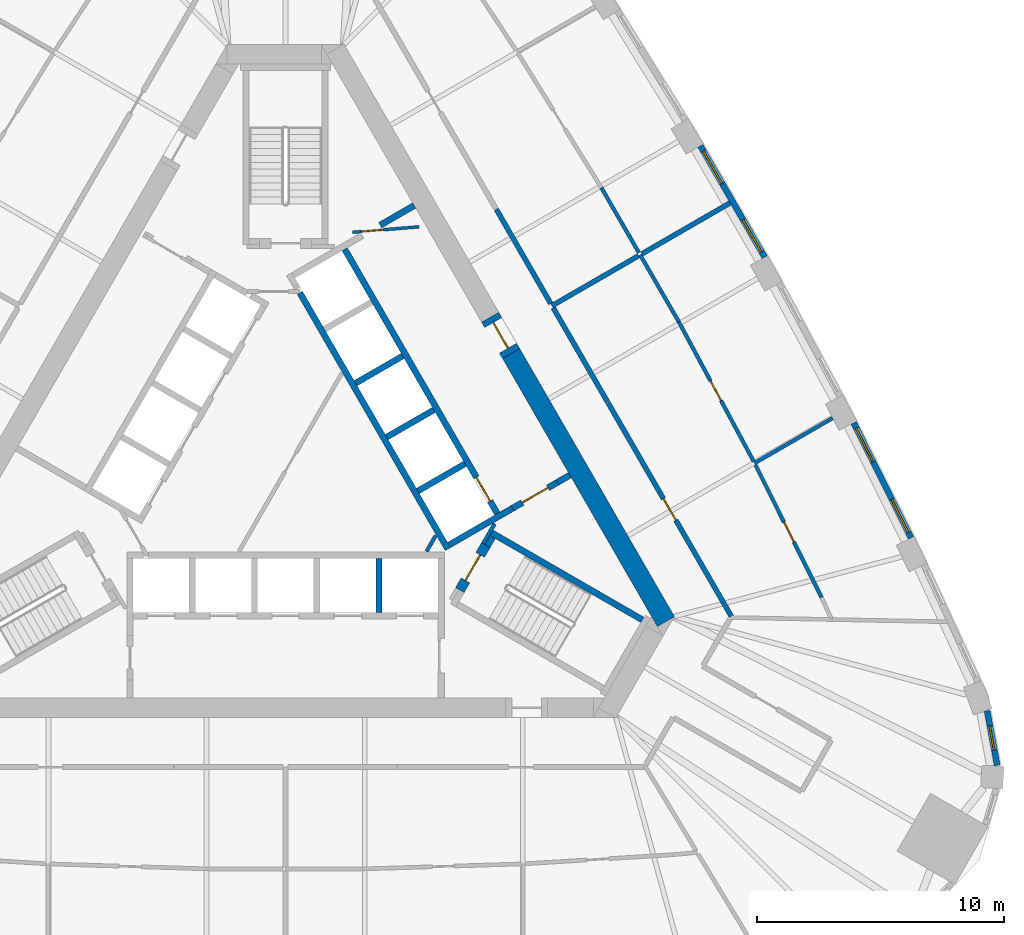
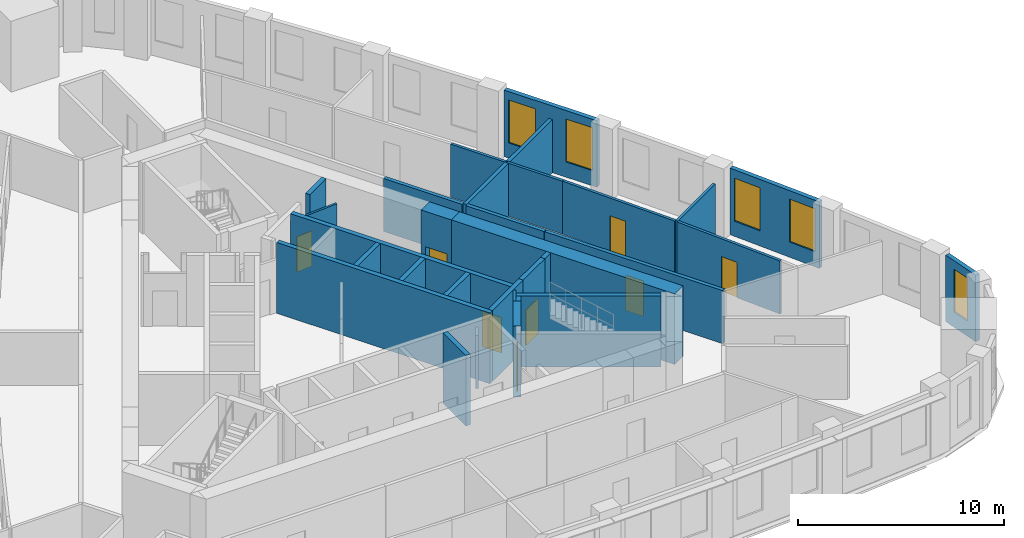
# One storey, part 7 of 10: 31 walls, 8 doors, 5 windows, 13 openings.
"""IFC4 building model written with IfcOpenShell, lengths in metres."""

from ifc_helpers import new_model, si_unit, direction, frame, frame_2d, origin, place, context, subcontext, project, spatial, rectangle, extrude, material, layer, layer_set, type_object, element, fill, save


model = new_model("IFC4")

# Units and contexts
model_context = context("Model", 3, precision=1e-05, world=origin(), true_north=direction((0.0, 1.0)))
body_context = subcontext(model_context, "Body", "Model", "MODEL_VIEW")
ifc_project = project(units=[si_unit("LENGTHUNIT", "METRE"), si_unit("AREAUNIT", "SQUARE_METRE"), si_unit("VOLUMEUNIT", "CUBIC_METRE"), si_unit("PLANEANGLEUNIT", "RADIAN"), si_unit("MASSUNIT", "GRAM", prefix="KILO")], contexts=[model_context])

# Site, building, storey
site_placement = place(None, origin())
site = spatial("IfcSite", under=ifc_project, at=site_placement, CompositionType="ELEMENT")
building_placement = place(site_placement, origin())
building = spatial("IfcBuilding", under=site, at=building_placement, Name="Mestral Congress Tower", CompositionType="ELEMENT")
storey_placement = place(building_placement, frame((0.0, 0.0, 154.199951171875)))
storey = spatial("IfcBuildingStorey", under=building, at=storey_placement, Name="L36", CompositionType="ELEMENT", Elevation=154.199951171875)

# Wall
ifc_material_1 = material(Name="Fire-rated board partition")
ifc_layer_1 = layer(ifc_material_1, 0.14990234375)
ifc_layer_set_1 = layer_set([ifc_layer_1], Name="Fire-rated board partition")
wall_type_1 = type_object("IfcWallType", Name="Core partition 150", PredefinedType="PARTITIONING", material=ifc_layer_set_1)
wall_1_placement = place(storey_placement, frame((5.704833984375, -3.718017578125, 0.0), z_axis=(0.0, 0.0, 1.0), x_axis=(0.499962090823, 0.866047289552, 0.0)))
element("IfcWall", 1, at=wall_1_placement, inside=storey, type_object=wall_type_1, Name="L36 core wall", PredefinedType="PARTITIONING", context=body_context, shape_type="SweptSolid", body=[
    extrude(rectangle(XDim=0.73486328125, YDim=0.14990234375, at=frame_2d((0.367431640625, 0.0))), origin(), (0.0, 0.0, 1.0), 3.150146484375),
])

# Wall, opening, door
ifc_layer_2 = layer(ifc_material_1, 0.1201171875)
ifc_layer_set_2 = layer_set([ifc_layer_2], Name="Fire-rated board partition")
wall_type_2 = type_object("IfcWallType", Name="Core partition 150 door-wall 120", PredefinedType="PARTITIONING", material=ifc_layer_set_2)
wall_2_placement = place(storey_placement, frame((5.3984375, 9.418701171875, 0.0), z_axis=(0.0, 0.0, 1.0), x_axis=(-0.996653416376, -0.081743303248, 0.0)))
wall_2 = element("IfcWall", 2, at=wall_2_placement, inside=storey, type_object=wall_type_2, Name="L36 door wall", PredefinedType="PARTITIONING", context=body_context, shape_type="SweptSolid", body=[
    extrude(rectangle(XDim=2.699951171875, YDim=0.119873046875, at=frame_2d((1.35009765625, 0.0))), origin(), (0.0, 0.0, 1.0), 3.150146484375),
])
opening_1_placement = place(wall_2_placement, frame((1.449951171875, 0.0, 0.0)))
opening_1 = element("IfcOpeningElement", 3, at=opening_1_placement, cuts=wall_2, Name="Opening TD2", PredefinedType="OPENING", context=body_context, shape_type="SweptSolid", body=[
    extrude(rectangle(XDim=0.89990234375, YDim=2.10009765625, at=frame_2d((0.449951171875, 1.050048828125))), frame((0.0, 0.06982421875, 0.0), z_axis=(0.0, -1.0, 0.0), x_axis=(1.0, 0.0, 0.0)), (0.0, 0.0, 1.0), 0.139892578125),
])
ifc_material_2 = material(Name="Fire-rated steel door set", Category="steel")
door_type_1 = type_object("IfcDoorType", Name="Core door SR 900x2100", OperationType="SINGLE_SWING_LEFT", PredefinedType="DOOR", material=ifc_material_2)
door_1_placement = place(opening_1_placement, origin())
door_1 = element("IfcDoor", 4, at=door_1_placement, inside=storey, type_object=door_type_1, Name="Door TD2", OperationType="SINGLE_SWING_LEFT", OverallHeight=2.10009765625, OverallWidth=0.89990234375, PredefinedType="DOOR", context=body_context, shape_type="SweptSolid", body=[
    extrude(rectangle(XDim=0.89990234375, YDim=2.10009765625, at=frame_2d((0.449951171875, 1.050048828125))), frame((0.0, 0.02490234375, 0.0), z_axis=(0.0, -1.0, 0.0), x_axis=(1.0, 0.0, 0.0)), (0.0, 0.0, 1.0), 0.050048828125),
])
fill(opening_1, door_1)

# Wall
ifc_material_3 = material(Name="Concrete C60/75", Category="concrete")
ifc_layer_3 = layer(ifc_material_3, 0.800048828125)
ifc_layer_set_3 = layer_set([ifc_layer_3], Name="Concrete C60/75")
wall_type_3 = type_object("IfcWallType", Name="Core wall RC 800", PredefinedType="SOLIDWALL", material=ifc_layer_set_3)
wall_3_placement = place(storey_placement, frame((9.128662109375, 4.288818359375, 0.0), z_axis=(0.0, 0.0, 1.0), x_axis=(0.499995742806, -0.866027861663, 0.0)))
element("IfcWall", 5, at=wall_3_placement, inside=storey, type_object=wall_type_3, Name="L36 core wall", PredefinedType="SOLIDWALL", context=body_context, shape_type="SweptSolid", body=[
    extrude(rectangle(XDim=12.52734375, YDim=0.800048828125, at=frame_2d((6.263671875, 0.0))), origin(), (0.0, 0.0, 1.0), 4.199951171875),
])

# Wall, opening, door
wall_4_placement = place(storey_placement, frame((8.278564453125, 5.760986328125, 0.0), z_axis=(0.0, 0.0, 1.0), x_axis=(0.500062241894, -0.865989465428, 0.0)))
wall_4 = element("IfcWall", 6, at=wall_4_placement, inside=storey, type_object=wall_type_3, Name="L36 door wall", PredefinedType="SOLIDWALL", context=body_context, shape_type="SweptSolid", body=[
    extrude(rectangle(XDim=1.699951171875, YDim=0.800048828125, at=frame_2d((0.85009765625, 0.0))), origin(), (0.0, 0.0, 1.0), 4.199951171875),
])
opening_2_placement = place(wall_4_placement, frame((0.25, 0.0, 0.0)))
opening_2 = element("IfcOpeningElement", 7, at=opening_2_placement, cuts=wall_4, Name="Opening XDL", PredefinedType="OPENING", context=body_context, shape_type="SweptSolid", body=[
    extrude(rectangle(XDim=1.199951171875, YDim=2.10009765625, at=frame_2d((0.60009765625, 1.050048828125))), frame((0.0, 0.409912109375, 0.0), z_axis=(0.0, -1.0, 0.0), x_axis=(1.0, 0.0, 0.0)), (0.0, 0.0, 1.0), 0.820068359375),
])
door_type_2 = type_object("IfcDoorType", Name="Core door XD 1200x2100", OperationType="SINGLE_SWING_LEFT", PredefinedType="DOOR", material=ifc_material_2)
door_2_placement = place(opening_2_placement, origin())
door_2 = element("IfcDoor", 8, at=door_2_placement, inside=storey, type_object=door_type_2, Name="Door XDL", OperationType="SINGLE_SWING_LEFT", OverallHeight=2.10009765625, OverallWidth=1.199951171875, PredefinedType="DOOR", context=body_context, shape_type="SweptSolid", body=[
    extrude(rectangle(XDim=1.199951171875, YDim=2.10009765625, at=frame_2d((0.60009765625, 1.050048828125))), frame((0.0, 0.02490234375, 0.0), z_axis=(0.0, -1.0, 0.0), x_axis=(1.0, 0.0, 0.0)), (0.0, 0.0, 1.0), 0.050048828125),
])
fill(opening_2, door_2)

# Wall, opening, window
ifc_material_4 = material(Name="Precast concrete C40/50 with limestone facing", Category="masonry")
ifc_layer_4 = layer(ifc_material_4, 0.239990234375)
ifc_layer_set_4 = layer_set([ifc_layer_4], Name="Precast concrete C40/50 with limestone facing")
wall_type_4 = type_object("IfcWallType", Name="Facade stone wall 240", PredefinedType="SOLIDWALL", material=ifc_layer_set_4)
wall_5_placement = place(storey_placement, frame((28.79931640625, -12.380126953125, 0.0), z_axis=(0.0, 0.0, 1.0), x_axis=(-0.180737189259, 0.983531427265, 0.0)))
wall_5 = element("IfcWall", 9, at=wall_5_placement, inside=storey, type_object=wall_type_4, Name="Facade wall K0-3", PredefinedType="SOLIDWALL", context=body_context, shape_type="SweptSolid", body=[
    extrude(rectangle(XDim=2.25048828125, YDim=0.239990234375, at=frame_2d((1.125244140625, 0.0))), origin(), (0.0, 0.0, 1.0), 3.949951171875),
])
opening_3_placement = place(wall_5_placement, frame((0.625244140625, 0.0, 0.89990234375)))
opening_3 = element("IfcOpeningElement", 10, at=opening_3_placement, cuts=wall_5, Name="Opening W5", PredefinedType="OPENING", context=body_context, shape_type="SweptSolid", body=[
    extrude(rectangle(XDim=1.0, YDim=2.550048828125, at=frame_2d((0.5, 1.27490234375))), frame((0.0, 0.1298828125, 0.0), z_axis=(0.0, -1.0, 0.0), x_axis=(1.0, 0.0, 0.0)), (0.0, 0.0, 1.0), 0.260009765625),
])
ifc_material_5 = material(Name="Clear low-emissivity double glazing", Category="glass")
window_type_1 = type_object("IfcWindowType", Name="Facade punched window 1000 x 2550 sill 900", PartitioningType="SINGLE_PANEL", PredefinedType="WINDOW", material=ifc_material_5)
window_1_placement = place(opening_3_placement, origin())
window_1 = element("IfcWindow", 11, at=window_1_placement, inside=storey, type_object=window_type_1, Name="Window K0-3", OverallHeight=2.550048828125, OverallWidth=1.0, PartitioningType="SINGLE_PANEL", PredefinedType="WINDOW", context=body_context, shape_type="SweptSolid", body=[
    extrude(rectangle(XDim=1.0, YDim=2.550048828125, at=frame_2d((0.5, 1.27490234375))), frame((0.0, 0.0400390625, 0.0), z_axis=(0.0, -1.0, 0.0), x_axis=(1.0, 0.0, 0.0)), (0.0, 0.0, 1.0), 0.06005859375),
])
fill(opening_3, window_1)

# Wall, openings, windows
wall_6_placement = place(storey_placement, frame((25.31591796875, -3.17138671875, 0.0), z_axis=(0.0, 0.0, 1.0), x_axis=(-0.446256171312, 0.8949052629, 0.0)))
wall_6 = element("IfcWall", 12, at=wall_6_placement, inside=storey, type_object=wall_type_4, Name="Facade wall F1-01", PredefinedType="SOLIDWALL", context=body_context, shape_type="SweptSolid", body=[
    extrude(rectangle(XDim=5.203369140625, YDim=0.239990234375, at=frame_2d((2.6015625, 0.0))), origin(), (0.0, 0.0, 1.0), 3.949951171875),
])
opening_4_placement = place(wall_6_placement, frame((0.248291015625, 0.0, 0.89990234375)))
opening_4 = element("IfcOpeningElement", 13, at=opening_4_placement, cuts=wall_6, Name="Opening W4", PredefinedType="OPENING", context=body_context, shape_type="SweptSolid", body=[
    extrude(rectangle(XDim=1.5, YDim=2.550048828125, at=frame_2d((0.75, 1.27490234375))), frame((0.0, 0.1298828125, 0.0), z_axis=(0.0, -1.0, 0.0), x_axis=(1.0, 0.0, 0.0)), (0.0, 0.0, 1.0), 0.260009765625),
])
opening_5_placement = place(wall_6_placement, frame((3.455078125, 0.0, 0.89990234375)))
opening_5 = element("IfcOpeningElement", 14, at=opening_5_placement, cuts=wall_6, Name="Opening W4", PredefinedType="OPENING", context=body_context, shape_type="SweptSolid", body=[
    extrude(rectangle(XDim=1.5, YDim=2.550048828125, at=frame_2d((0.75, 1.27490234375))), frame((0.0, 0.1298828125, 0.0), z_axis=(0.0, -1.0, 0.0), x_axis=(1.0, 0.0, 0.0)), (0.0, 0.0, 1.0), 0.260009765625),
])
window_type_2 = type_object("IfcWindowType", Name="Facade punched window 1500 x 2550 sill 900", PartitioningType="SINGLE_PANEL", PredefinedType="WINDOW", material=ifc_material_5)
window_2_placement = place(opening_4_placement, origin())
window_2 = element("IfcWindow", 15, at=window_2_placement, inside=storey, type_object=window_type_2, Name="Window F1-01a", OverallHeight=2.550048828125, OverallWidth=1.5, PartitioningType="SINGLE_PANEL", PredefinedType="WINDOW", context=body_context, shape_type="SweptSolid", body=[
    extrude(rectangle(XDim=1.5, YDim=2.550048828125, at=frame_2d((0.75, 1.27490234375))), frame((0.0, 0.0400390625, 0.0), z_axis=(0.0, -1.0, 0.0), x_axis=(1.0, 0.0, 0.0)), (0.0, 0.0, 1.0), 0.06005859375),
])
fill(opening_4, window_2)
window_3_placement = place(opening_5_placement, origin())
window_3 = element("IfcWindow", 16, at=window_3_placement, inside=storey, type_object=window_type_2, Name="Window F1-01b", OverallHeight=2.550048828125, OverallWidth=1.5, PartitioningType="SINGLE_PANEL", PredefinedType="WINDOW", context=body_context, shape_type="SweptSolid", body=[
    extrude(rectangle(XDim=1.5, YDim=2.550048828125, at=frame_2d((0.75, 1.27490234375))), frame((0.0, 0.0400390625, 0.0), z_axis=(0.0, -1.0, 0.0), x_axis=(1.0, 0.0, 0.0)), (0.0, 0.0, 1.0), 0.06005859375),
])
fill(opening_5, window_3)

wall_7_placement = place(storey_placement, frame((19.390625, 8.19091796875, 0.0), z_axis=(0.0, 0.0, 1.0), x_axis=(-0.500009456303, 0.866019944116, 0.0)))
wall_7 = element("IfcWall", 17, at=wall_7_placement, inside=storey, type_object=wall_type_4, Name="Facade wall F1-03", PredefinedType="SOLIDWALL", context=body_context, shape_type="SweptSolid", body=[
    extrude(rectangle(XDim=5.20361328125, YDim=0.239990234375, at=frame_2d((2.601806640625, 0.0))), origin(), (0.0, 0.0, 1.0), 3.949951171875),
])
opening_6_placement = place(wall_7_placement, frame((0.248291015625, 0.0, 0.89990234375)))
opening_6 = element("IfcOpeningElement", 18, at=opening_6_placement, cuts=wall_7, Name="Opening W4", PredefinedType="OPENING", context=body_context, shape_type="SweptSolid", body=[
    extrude(rectangle(XDim=1.5, YDim=2.550048828125, at=frame_2d((0.75, 1.27490234375))), frame((0.0, 0.1298828125, 0.0), z_axis=(0.0, -1.0, 0.0), x_axis=(1.0, 0.0, 0.0)), (0.0, 0.0, 1.0), 0.260009765625),
])
opening_7_placement = place(wall_7_placement, frame((3.455078125, 0.0, 0.89990234375)))
opening_7 = element("IfcOpeningElement", 19, at=opening_7_placement, cuts=wall_7, Name="Opening W4", PredefinedType="OPENING", context=body_context, shape_type="SweptSolid", body=[
    extrude(rectangle(XDim=1.5, YDim=2.550048828125, at=frame_2d((0.75, 1.27490234375))), frame((0.0, 0.1298828125, 0.0), z_axis=(0.0, -1.0, 0.0), x_axis=(1.0, 0.0, 0.0)), (0.0, 0.0, 1.0), 0.260009765625),
])
window_4_placement = place(opening_6_placement, origin())
window_4 = element("IfcWindow", 20, at=window_4_placement, inside=storey, type_object=window_type_2, Name="Window F1-03a", OverallHeight=2.550048828125, OverallWidth=1.5, PartitioningType="SINGLE_PANEL", PredefinedType="WINDOW", context=body_context, shape_type="SweptSolid", body=[
    extrude(rectangle(XDim=1.5, YDim=2.550048828125, at=frame_2d((0.75, 1.27490234375))), frame((0.0, 0.0400390625, 0.0), z_axis=(0.0, -1.0, 0.0), x_axis=(1.0, 0.0, 0.0)), (0.0, 0.0, 1.0), 0.06005859375),
])
fill(opening_6, window_4)
window_5_placement = place(opening_7_placement, origin())
window_5 = element("IfcWindow", 21, at=window_5_placement, inside=storey, type_object=window_type_2, Name="Window F1-03b", OverallHeight=2.550048828125, OverallWidth=1.5, PartitioningType="SINGLE_PANEL", PredefinedType="WINDOW", context=body_context, shape_type="SweptSolid", body=[
    extrude(rectangle(XDim=1.5, YDim=2.550048828125, at=frame_2d((0.75, 1.27490234375))), frame((0.0, 0.0400390625, 0.0), z_axis=(0.0, -1.0, 0.0), x_axis=(1.0, 0.0, 0.0)), (0.0, 0.0, 1.0), 0.06005859375),
])
fill(opening_7, window_5)

# Wall
ifc_material_6 = material(Name="Plasterboard partition on steel studs", Category="steel")
ifc_layer_5 = layer(ifc_material_6, 0.14990234375)
ifc_layer_set_5 = layer_set([ifc_layer_5], Name="Plasterboard partition on steel studs")
wall_type_5 = type_object("IfcWallType", Name="Office partition 150", PredefinedType="PARTITIONING", material=ifc_layer_set_5)
wall_8_placement = place(storey_placement, frame((18.980224609375, -0.146728515625, 0.0), z_axis=(0.0, 0.0, 1.0), x_axis=(0.866035116605, 0.499983176524, 0.0)))
element("IfcWall", 22, at=wall_8_placement, inside=storey, type_object=wall_type_5, Name="Partition", PredefinedType="PARTITIONING", context=body_context, shape_type="SweptSolid", body=[
    extrude(rectangle(XDim=3.647705078125, YDim=0.14990234375, at=frame_2d((1.82373046875, 0.0))), origin(), (0.0, 0.0, 1.0), 3.150146484375),
])

# Wall, opening, door
wall_9_placement = place(storey_placement, frame((19.013916015625, -0.2138671875, 0.0), z_axis=(0.0, 0.0, 1.0), x_axis=(0.446219729364, -0.894923434225, 0.0)))
wall_9 = element("IfcWall", 23, at=wall_9_placement, inside=storey, type_object=wall_type_5, Name="Partition", PredefinedType="PARTITIONING", context=body_context, shape_type="SweptSolid", body=[
    extrude(rectangle(XDim=5.995361328125, YDim=0.14990234375, at=frame_2d((2.99755859375, 0.0))), origin(), (0.0, 0.0, 1.0), 3.150146484375),
])
opening_8_placement = place(wall_9_placement, frame((2.595458984375, 0.0, 0.0)))
opening_8 = element("IfcOpeningElement", 24, at=opening_8_placement, cuts=wall_9, Name="Opening O02-005", PredefinedType="OPENING", context=body_context, shape_type="SweptSolid", body=[
    extrude(rectangle(XDim=0.89990234375, YDim=2.10009765625, at=frame_2d((0.449951171875, 1.050048828125))), frame((0.0, 0.0849609375, 0.0), z_axis=(0.0, -1.0, 0.0), x_axis=(1.0, 0.0, 0.0)), (0.0, 0.0, 1.0), 0.169921875),
])
ifc_material_7 = material(Name="Timber door set", Category="wood")
door_type_3 = type_object("IfcDoorType", Name="Office door 900x2100", OperationType="SINGLE_SWING_LEFT", PredefinedType="DOOR", material=ifc_material_7)
door_3_placement = place(opening_8_placement, origin())
door_3 = element("IfcDoor", 25, at=door_3_placement, inside=storey, type_object=door_type_3, Name="Door O02-005", OperationType="SINGLE_SWING_RIGHT", OverallHeight=2.10009765625, OverallWidth=0.89990234375, PredefinedType="DOOR", context=body_context, shape_type="SweptSolid", body=[
    extrude(rectangle(XDim=0.89990234375, YDim=2.10009765625, at=frame_2d((0.449951171875, 1.050048828125))), frame((0.0, 0.02490234375, 0.0), z_axis=(0.0, -1.0, 0.0), x_axis=(1.0, 0.0, 0.0)), (0.0, 0.0, 1.0), 0.050048828125),
])
fill(opening_8, door_3)

wall_10_placement = place(storey_placement, frame((15.91748046875, 5.56640625, 0.0), z_axis=(0.0, 0.0, 1.0), x_axis=(0.472485737981, -0.881338316088, 0.0)))
wall_10 = element("IfcWall", 26, at=wall_10_placement, inside=storey, type_object=wall_type_5, Name="Partition", PredefinedType="PARTITIONING", context=body_context, shape_type="SweptSolid", body=[
    extrude(rectangle(XDim=6.4072265625, YDim=0.14990234375, at=frame_2d((3.20361328125, 0.0))), origin(), (0.0, 0.0, 1.0), 3.150146484375),
])
opening_9_placement = place(wall_10_placement, frame((2.70703125, 0.0, 0.0)))
opening_9 = element("IfcOpeningElement", 27, at=opening_9_placement, cuts=wall_10, Name="Opening O02-006", PredefinedType="OPENING", context=body_context, shape_type="SweptSolid", body=[
    extrude(rectangle(XDim=0.89990234375, YDim=2.10009765625, at=frame_2d((0.449951171875, 1.050048828125))), frame((0.0, 0.0849609375, 0.0), z_axis=(0.0, -1.0, 0.0), x_axis=(1.0, 0.0, 0.0)), (0.0, 0.0, 1.0), 0.169921875),
])
door_4_placement = place(opening_9_placement, origin())
door_4 = element("IfcDoor", 28, at=door_4_placement, inside=storey, type_object=door_type_3, Name="Door O02-006", OperationType="SINGLE_SWING_LEFT", OverallHeight=2.10009765625, OverallWidth=0.89990234375, PredefinedType="DOOR", context=body_context, shape_type="SweptSolid", body=[
    extrude(rectangle(XDim=0.89990234375, YDim=2.10009765625, at=frame_2d((0.449951171875, 1.050048828125))), frame((0.0, 0.02490234375, 0.0), z_axis=(0.0, -1.0, 0.0), x_axis=(1.0, 0.0, 0.0)), (0.0, 0.0, 1.0), 0.050048828125),
])
fill(opening_9, door_4)

# Walls
wall_11_placement = place(storey_placement, frame((15.91748046875, 5.56640625, 0.0), z_axis=(0.0, 0.0, 1.0), x_axis=(-0.499996312652, 0.866027532665, 0.0)))
element("IfcWall", 29, at=wall_11_placement, inside=storey, type_object=wall_type_5, Name="Partition", PredefinedType="PARTITIONING", context=body_context, shape_type="SweptSolid", body=[
    extrude(rectangle(XDim=3.13818359375, YDim=0.14990234375, at=frame_2d((1.569091796875, 0.0))), origin(), (0.0, 0.0, 1.0), 3.150146484375),
])
wall_12_placement = place(storey_placement, frame((14.298583984375, 8.37060546875, 0.0), z_axis=(0.0, 0.0, 1.0), x_axis=(-0.500019211527, 0.86601431172, 0.0)))
element("IfcWall", 30, at=wall_12_placement, inside=storey, type_object=wall_type_5, Name="Partition", PredefinedType="PARTITIONING", context=body_context, shape_type="SweptSolid", body=[
    extrude(rectangle(XDim=3.03857421875, YDim=0.14990234375, at=frame_2d((1.519287109375, 0.0))), origin(), (0.0, 0.0, 1.0), 3.150146484375),
])
ifc_material_8 = material(Name="Dense masonry wall, plastered", Category="masonry")
ifc_layer_6 = layer(ifc_material_8, 0.199951171875)
ifc_layer_set_6 = layer_set([ifc_layer_6], Name="Dense masonry wall, plastered")
wall_type_6 = type_object("IfcWallType", Name="Office tenancy wall 200", PredefinedType="PARTITIONING", material=ifc_layer_set_6)
wall_13_placement = place(storey_placement, frame((14.413330078125, 8.321533203125, 0.0), z_axis=(0.0, 0.0, 1.0), x_axis=(0.866034795751, 0.499983732284, 0.0)))
element("IfcWall", 31, at=wall_13_placement, inside=storey, type_object=wall_type_6, Name="Tenancy wall", PredefinedType="PARTITIONING", context=body_context, shape_type="SweptSolid", body=[
    extrude(rectangle(XDim=4.125244140625, YDim=0.199951171875, at=frame_2d((2.0625, 0.0))), origin(), (0.0, 0.0, 1.0), 3.150146484375),
])
wall_14_placement = place(storey_placement, frame((10.781982421875, 6.22509765625, 0.0), z_axis=(0.0, 0.0, 1.0), x_axis=(0.866034752867, 0.499983806564, 0.0)))
element("IfcWall", 32, at=wall_14_placement, inside=storey, type_object=wall_type_6, Name="Tenancy wall", PredefinedType="PARTITIONING", context=body_context, shape_type="SweptSolid", body=[
    extrude(rectangle(XDim=4.043212890625, YDim=0.199951171875, at=frame_2d((2.021484375, 0.0))), origin(), (0.0, 0.0, 1.0), 3.150146484375),
])
wall_15_placement = place(storey_placement, frame((13.031982421875, 2.327880859375, 0.0), z_axis=(0.0, 0.0, 1.0), x_axis=(-0.499988222896, 0.866032203192, 0.0)))
element("IfcWall", 33, at=wall_15_placement, inside=storey, type_object=wall_type_6, Name="Tenancy wall", PredefinedType="PARTITIONING", context=body_context, shape_type="SweptSolid", body=[
    extrude(rectangle(XDim=4.39990234375, YDim=0.199951171875, at=frame_2d((2.199951171875, 0.0))), origin(), (0.0, 0.0, 1.0), 3.150146484375),
])

# Wall, opening, door
wall_16_placement = place(storey_placement, frame((18.042236328125, -6.35009765625, 0.0), z_axis=(0.0, 0.0, 1.0), x_axis=(-0.499986873641, 0.866032982159, 0.0)))
wall_16 = element("IfcWall", 34, at=wall_16_placement, inside=storey, type_object=wall_type_6, Name="Tenancy wall", PredefinedType="PARTITIONING", context=body_context, shape_type="SweptSolid", body=[
    extrude(rectangle(XDim=9.990478515625, YDim=0.199951171875, at=frame_2d((4.9951171875, 0.0))), origin(), (0.0, 0.0, 1.0), 3.150146484375),
])
opening_10_placement = place(wall_16_placement, frame((4.5, 0.0, 0.0)))
opening_10 = element("IfcOpeningElement", 35, at=opening_10_placement, cuts=wall_16, Name="Opening O02-007", PredefinedType="OPENING", context=body_context, shape_type="SweptSolid", body=[
    extrude(rectangle(XDim=1.0, YDim=2.10009765625, at=frame_2d((0.5, 1.050048828125))), frame((0.0, 0.10986328125, 0.0), z_axis=(0.0, -1.0, 0.0), x_axis=(1.0, 0.0, 0.0)), (0.0, 0.0, 1.0), 0.219970703125),
])
ifc_material_9 = material(Name="Fire-rated timber door set", Category="wood")
door_type_4 = type_object("IfcDoorType", Name="Office tenancy entrance door 1000x2100", OperationType="SINGLE_SWING_LEFT", PredefinedType="DOOR", material=ifc_material_9)
door_5_placement = place(opening_10_placement, origin())
door_5 = element("IfcDoor", 36, at=door_5_placement, inside=storey, type_object=door_type_4, Name="Door O02-007", OperationType="SINGLE_SWING_RIGHT", OverallHeight=2.10009765625, OverallWidth=1.0, PredefinedType="DOOR", context=body_context, shape_type="SweptSolid", body=[
    extrude(rectangle(XDim=1.0, YDim=2.10009765625, at=frame_2d((0.5, 1.050048828125))), frame((0.0, 0.02490234375, 0.0), z_axis=(0.0, -1.0, 0.0), x_axis=(1.0, 0.0, 0.0)), (0.0, 0.0, 1.0), 0.050048828125),
])
fill(opening_10, door_5)

# Walls
wall_17_placement = place(storey_placement, frame((10.73193359375, 6.3115234375, 0.0), z_axis=(0.0, 0.0, 1.0), x_axis=(-0.499984786451, 0.866034187153, 0.0)))
element("IfcWall", 37, at=wall_17_placement, inside=storey, type_object=wall_type_6, Name="Tenancy wall", PredefinedType="PARTITIONING", context=body_context, shape_type="SweptSolid", body=[
    extrude(rectangle(XDim=4.404052734375, YDim=0.199951171875, at=frame_2d((2.2021484375, 0.0))), origin(), (0.0, 0.0, 1.0), 3.150146484375),
])
ifc_layer_7 = layer(ifc_material_3, 0.25)
ifc_layer_set_7 = layer_set([ifc_layer_7], Name="Concrete C60/75")
wall_type_7 = type_object("IfcWallType", Name="Shaft wall RC 250", PredefinedType="SOLIDWALL", material=ifc_layer_set_7)
wall_18_placement = place(storey_placement, frame((3.780029296875, -4.0, 0.0), z_axis=(0.0, 0.0, 1.0), x_axis=(0.0, -1.0, 0.0)))
element("IfcWall", 38, at=wall_18_placement, inside=storey, type_object=wall_type_7, Name="L36 core wall", PredefinedType="SOLIDWALL", context=body_context, shape_type="SweptSolid", body=[
    extrude(rectangle(XDim=2.199951171875, YDim=0.25, at=frame_2d((1.10009765625, 0.0))), origin(), (0.0, 0.0, 1.0), 4.199951171875),
])
wall_19_placement = place(storey_placement, frame((11.507080078125, -0.631103515625, 0.0), z_axis=(0.0, 0.0, 1.0), x_axis=(-0.866093731455, -0.499881634324, 0.0)))
element("IfcWall", 39, at=wall_19_placement, inside=storey, type_object=wall_type_7, Name="L36 core wall", PredefinedType="SOLIDWALL", context=body_context, shape_type="SweptSolid", body=[
    extrude(rectangle(XDim=0.575439453125, YDim=0.25, at=frame_2d((0.28759765625, 0.0))), origin(), (0.0, 0.0, 1.0), 4.199951171875),
])
wall_20_placement = place(storey_placement, frame((6.568359375, -3.626708984375, 0.0), z_axis=(0.0, 0.0, 1.0), x_axis=(-0.499999455981, 0.866025717874, 0.0)))
element("IfcWall", 40, at=wall_20_placement, inside=storey, type_object=wall_type_7, Name="L36 core wall", PredefinedType="SOLIDWALL", context=body_context, shape_type="SweptSolid", body=[
    extrude(rectangle(XDim=11.97802734375, YDim=0.25, at=frame_2d((5.989013671875, 0.0))), origin(), (0.0, 0.0, 1.0), 4.199951171875),
])
for number, where, z_axis, x_axis, name in (
    (41, (2.833984375, 3.091064453125, 0.0), (0.0, 0.0, 1.0), (0.866008176907, 0.50002983664, 0.0), "L36 core wall"),
    (42, (4.093994140625, 0.90869140625, 0.0), (0.0, 0.0, 1.0), (0.866008176907, 0.50002983664, 0.0), "L36 core wall"),
    (43, (5.35400390625, -1.273681640625, 0.0), (0.0, 0.0, 1.0), (0.866008176907, 0.50002983664, 0.0), "L36 core wall"),
):
    element("IfcWall", number, at=place(storey_placement, frame(where, z_axis=z_axis, x_axis=x_axis)), inside=storey, type_object=wall_type_7, Name=name, PredefinedType="SOLIDWALL", context=body_context, shape_type="SweptSolid", body=[
        extrude(rectangle(XDim=2.199951171875, YDim=0.25, at=frame_2d((1.10009765625, 0.0))), origin(), (0.0, 0.0, 1.0), 4.199951171875),
    ])
wall_21_placement = place(storey_placement, frame((6.614013671875, -3.4560546875, 0.0), z_axis=(0.0, 0.0, 1.0), x_axis=(0.866032512851, 0.499987686533, 0.0)))
element("IfcWall", 44, at=wall_21_placement, inside=storey, type_object=wall_type_7, Name="L36 core wall", PredefinedType="SOLIDWALL", context=body_context, shape_type="SweptSolid", body=[
    extrude(rectangle(XDim=2.974609375, YDim=0.25, at=frame_2d((1.4873046875, 0.0))), origin(), (0.0, 0.0, 1.0), 4.199951171875),
])
wall_22_placement = place(storey_placement, frame((3.82958984375, 9.485595703125, 0.0), z_axis=(0.0, 0.0, 1.0), x_axis=(0.865986202621, 0.500067892261, 0.0)))
element("IfcWall", 45, at=wall_22_placement, inside=storey, type_object=wall_type_7, Name="L36 core wall", PredefinedType="SOLIDWALL", context=body_context, shape_type="SweptSolid", body=[
    extrude(rectangle(XDim=1.590576171875, YDim=0.25, at=frame_2d((0.79541015625, 0.0))), origin(), (0.0, 0.0, 1.0), 4.199951171875),
])

# Wall, opening, door
wall_23_placement = place(storey_placement, frame((8.565185546875, -2.185302734375, 0.0), z_axis=(0.0, 0.0, 1.0), x_axis=(-0.499997954832, 0.866026584559, 0.0)))
wall_23 = element("IfcWall", 46, at=wall_23_placement, inside=storey, type_object=wall_type_7, Name="L36 door wall", PredefinedType="SOLIDWALL", context=body_context, shape_type="SweptSolid", body=[
    extrude(rectangle(XDim=12.35009765625, YDim=0.25, at=frame_2d((6.175048828125, 0.0))), origin(), (0.0, 0.0, 1.0), 4.199951171875),
])
opening_11_placement = place(wall_23_placement, frame((0.5849609375, 0.0, 0.0)))
opening_11 = element("IfcOpeningElement", 47, at=opening_11_placement, cuts=wall_23, Name="Opening LD-NEB1", PredefinedType="OPENING", context=body_context, shape_type="SweptSolid", body=[
    extrude(rectangle(XDim=1.10009765625, YDim=2.10009765625, at=frame_2d((0.550048828125, 1.050048828125))), frame((0.0, 0.135009765625, 0.0), z_axis=(0.0, -1.0, 0.0), x_axis=(1.0, 0.0, 0.0)), (0.0, 0.0, 1.0), 0.27001953125),
])
door_type_5 = type_object("IfcDoorType", Name="Core door LD 1100x2100", OperationType="DOUBLE_DOOR_SLIDING", PredefinedType="DOOR", material=ifc_material_2)
door_6_placement = place(opening_11_placement, origin())
door_6 = element("IfcDoor", 48, at=door_6_placement, inside=storey, type_object=door_type_5, Name="Door LD-NEB1", OperationType="DOUBLE_DOOR_SLIDING", OverallHeight=2.10009765625, OverallWidth=1.10009765625, PredefinedType="DOOR", context=body_context, shape_type="SweptSolid", body=[
    extrude(rectangle(XDim=1.10009765625, YDim=2.10009765625, at=frame_2d((0.550048828125, 1.050048828125))), frame((0.0, 0.02490234375, 0.0), z_axis=(0.0, -1.0, 0.0), x_axis=(1.0, 0.0, 0.0)), (0.0, 0.0, 1.0), 0.050048828125),
])
fill(opening_11, door_6)

wall_24_placement = place(storey_placement, frame((11.0087890625, -0.918701171875, 0.0), z_axis=(0.0, 0.0, 1.0), x_axis=(-0.866059744384, -0.49994051562, 0.0)))
wall_24 = element("IfcWall", 49, at=wall_24_placement, inside=storey, type_object=wall_type_7, Name="L36 door wall", PredefinedType="SOLIDWALL", context=body_context, shape_type="SweptSolid", body=[
    extrude(rectangle(XDim=2.099853515625, YDim=0.25, at=frame_2d((1.0498046875, 0.0))), origin(), (0.0, 0.0, 1.0), 4.199951171875),
])
opening_12_placement = place(wall_24_placement, frame((0.449951171875, 0.0, 0.0)))
opening_12 = element("IfcOpeningElement", 50, at=opening_12_placement, cuts=wall_24, Name="Opening LB1-PX10", PredefinedType="OPENING", context=body_context, shape_type="SweptSolid", body=[
    extrude(rectangle(XDim=1.199951171875, YDim=2.10009765625, at=frame_2d((0.60009765625, 1.050048828125))), frame((0.0, 0.135009765625, 0.0), z_axis=(0.0, -1.0, 0.0), x_axis=(1.0, 0.0, 0.0)), (0.0, 0.0, 1.0), 0.27001953125),
])
door_type_6 = type_object("IfcDoorType", Name="Core door LB 1200x2100", OperationType="SINGLE_SWING_LEFT", PredefinedType="DOOR", material=ifc_material_2)
door_7_placement = place(opening_12_placement, origin())
door_7 = element("IfcDoor", 51, at=door_7_placement, inside=storey, type_object=door_type_6, Name="Door LB1-PX10", OperationType="SINGLE_SWING_LEFT", OverallHeight=2.10009765625, OverallWidth=1.199951171875, PredefinedType="DOOR", context=body_context, shape_type="SweptSolid", body=[
    extrude(rectangle(XDim=1.199951171875, YDim=2.10009765625, at=frame_2d((0.60009765625, 1.050048828125))), frame((0.0, 0.02490234375, 0.0), z_axis=(0.0, -1.0, 0.0), x_axis=(1.0, 0.0, 0.0)), (0.0, 0.0, 1.0), 0.050048828125),
])
fill(opening_12, door_7)

# Walls
ifc_layer_8 = layer(ifc_material_3, 0.14990234375)
ifc_layer_set_8 = layer_set([ifc_layer_8], Name="Concrete C60/75")
wall_type_8 = type_object("IfcWallType", Name="Shaft wall RC 250 door-wall 150", PredefinedType="SOLIDWALL", material=ifc_layer_set_8)
wall_25_placement = place(storey_placement, frame((8.459228515625, -2.59912109375, 0.0), z_axis=(0.0, 0.0, 1.0), x_axis=(-0.500041054325, -0.866001699761, 0.0)))
element("IfcWall", 52, at=wall_25_placement, inside=storey, type_object=wall_type_8, Name="L36 core wall", PredefinedType="PARTITIONING", context=body_context, shape_type="SweptSolid", body=[
    extrude(rectangle(XDim=0.9287109375, YDim=0.14990234375, at=frame_2d((0.46435546875, 0.0))), origin(), (0.0, 0.0, 1.0), 4.199951171875),
])
ifc_layer_9 = layer(ifc_material_3, 0.25)
ifc_layer_set_9 = layer_set([ifc_layer_9], Name="Concrete C60/75")
wall_type_9 = type_object("IfcWallType", Name="Stair wall RC 250", PredefinedType="SOLIDWALL", material=ifc_layer_set_9)
wall_26_placement = place(storey_placement, frame((8.33447265625, -2.96435546875, 0.0), z_axis=(0.0, 0.0, 1.0), x_axis=(0.866016039709, -0.500016218704, 0.0)))
element("IfcWall", 53, at=wall_26_placement, inside=storey, type_object=wall_type_9, Name="L36 core wall", PredefinedType="SOLIDWALL", context=body_context, shape_type="SweptSolid", body=[
    extrude(rectangle(XDim=7.050048828125, YDim=0.25, at=frame_2d((3.52490234375, 0.0))), origin(), (0.0, 0.0, 1.0), 4.199951171875),
])
wall_27_placement = place(storey_placement, frame((8.167724609375, -3.503173828125, 0.0), z_axis=(0.0, 0.0, 1.0), x_axis=(0.49972245349, 0.866185586049, 0.0)))
element("IfcWall", 54, at=wall_27_placement, inside=storey, type_object=wall_type_9, Name="L36 core wall", PredefinedType="SOLIDWALL", context=body_context, shape_type="SweptSolid", body=[
    extrude(rectangle(XDim=0.425048828125, YDim=0.25, at=frame_2d((0.21240234375, 0.0))), origin(), (0.0, 0.0, 1.0), 4.199951171875),
])

# Wall, opening, door
ifc_layer_10 = layer(ifc_material_3, 0.39990234375)
ifc_layer_set_10 = layer_set([ifc_layer_10], Name="Concrete C60/75")
wall_type_10 = type_object("IfcWallType", Name="Stair wall RC 250 door-wall 400", PredefinedType="SOLIDWALL", material=ifc_layer_set_10)
wall_28_placement = place(storey_placement, frame((7.052734375, -5.2841796875, 0.0), z_axis=(0.0, 0.0, 1.0), x_axis=(0.500078061341, 0.865980330357, 0.0)))
wall_28 = element("IfcWall", 55, at=wall_28_placement, inside=storey, type_object=wall_type_10, Name="L36 door wall", PredefinedType="SOLIDWALL", context=body_context, shape_type="SweptSolid", body=[
    extrude(rectangle(XDim=2.099853515625, YDim=0.39990234375, at=frame_2d((1.0498046875, 0.0))), origin(), (0.0, 0.0, 1.0), 4.199951171875),
])
opening_13_placement = place(wall_28_placement, frame((0.449951171875, 0.0, 0.0)))
opening_13 = element("IfcOpeningElement", 56, at=opening_13_placement, cuts=wall_28, Name="Opening ST-D1", PredefinedType="OPENING", context=body_context, shape_type="SweptSolid", body=[
    extrude(rectangle(XDim=1.199951171875, YDim=2.10009765625, at=frame_2d((0.60009765625, 1.050048828125))), frame((0.0, 0.2099609375, 0.0), z_axis=(0.0, -1.0, 0.0), x_axis=(1.0, 0.0, 0.0)), (0.0, 0.0, 1.0), 0.419921875),
])
door_type_7 = type_object("IfcDoorType", Name="Core door ST 1200x2100", OperationType="SINGLE_SWING_LEFT", PredefinedType="DOOR", material=ifc_material_2)
door_8_placement = place(opening_13_placement, origin())
door_8 = element("IfcDoor", 57, at=door_8_placement, inside=storey, type_object=door_type_7, Name="Door ST-D1", OperationType="SINGLE_SWING_LEFT", OverallHeight=2.10009765625, OverallWidth=1.199951171875, PredefinedType="DOOR", context=body_context, shape_type="SweptSolid", body=[
    extrude(rectangle(XDim=1.199951171875, YDim=2.10009765625, at=frame_2d((0.60009765625, 1.050048828125))), frame((0.0, 0.02490234375, 0.0), z_axis=(0.0, -1.0, 0.0), x_axis=(1.0, 0.0, 0.0)), (0.0, 0.0, 1.0), 0.050048828125),
])
fill(opening_13, door_8)

save(model, "model.ifc")
